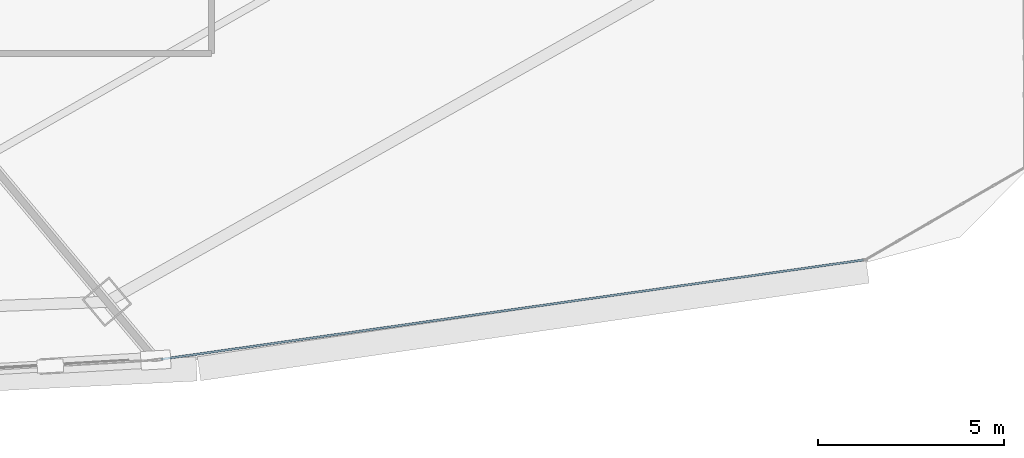
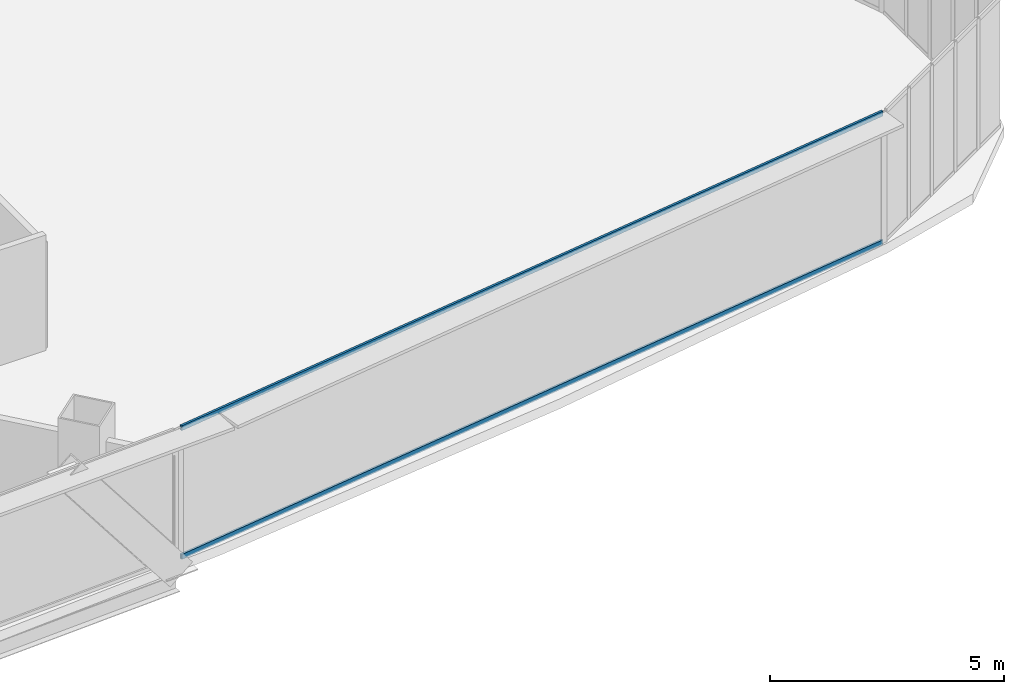
# One storey, part 21 of 42: 2 members, 1 element without a shape of its own.
"""IFC4 building model written with IfcOpenShell, lengths in metres."""

from ifc_helpers import new_model, si_unit, direction, frame, origin, origin_2d, place, context, subcontext, project, spatial, hollow_rectangle, extrude, source, transform, mapped, material, layer, layer_set, material_profile, profile_set, type_object, element, aggregate, save


model = new_model("IFC4")

# Units and contexts
model_context = context("Model", 3, precision=1e-05, world=origin(), true_north=direction((0.0, 1.0)))
body_context = subcontext(model_context, "Body", "Model", "MODEL_VIEW")
ifc_project = project(units=[si_unit("LENGTHUNIT", "METRE"), si_unit("AREAUNIT", "SQUARE_METRE"), si_unit("VOLUMEUNIT", "CUBIC_METRE"), si_unit("PLANEANGLEUNIT", "RADIAN"), si_unit("MASSUNIT", "GRAM", prefix="KILO"), si_unit("THERMODYNAMICTEMPERATUREUNIT", "KELVIN"), si_unit("POWERUNIT", "WATT")], contexts=[model_context])

# Site, building, storey
site_placement = place(None, origin())
site = spatial("IfcSite", under=ifc_project, at=site_placement, CompositionType="ELEMENT")
building_placement = place(site_placement, origin())
building = spatial("IfcBuilding", under=site, at=building_placement, Name="Yunzhuo Pagoda Commons", CompositionType="ELEMENT")
storey_placement = place(building_placement, frame((0.0, 0.0, 129.830078125)))
storey = spatial("IfcBuildingStorey", under=building, at=storey_placement, Name="L32", CompositionType="ELEMENT", Elevation=129.830078125)

# Curtain wall, members
ifc_material = material(Name="Anodized aluminium 6063-T6", Category="aluminium")
ifc_layer = layer(ifc_material, 0.14990234375)
ifc_layer_set = layer_set([ifc_layer], Name="Anodized aluminium 6063-T6")
curtain_wall_type = type_object("IfcCurtainWallType", Name="CW-MID Mid-Zone Ribbon Curtain Wall", PredefinedType="NOTDEFINED", material=ifc_layer_set)
curtain_wall_placement = place(storey_placement, origin())
curtain_wall = element("IfcCurtainWall", 1, at=curtain_wall_placement, inside=storey, type_object=curtain_wall_type, Name="L32 curtain wall CW-L32-F1B5", PredefinedType="NOTDEFINED")
ifc_material_profile = material_profile(ifc_material, hollow_rectangle(XDim=0.054931640625, YDim=0.1298828125, WallThickness=0.00341796875, at=origin_2d()), Name="Anodized aluminium 6063-T6")
ifc_profile_set = profile_set([ifc_material_profile], Name="Anodized aluminium 6063-T6")
member_type = type_object("IfcMemberType", Name="CW-MID-T Transom RHS 130x55x3.5", PredefinedType="USERDEFINED", material=ifc_profile_set)
shared_shape = source(origin(), body_context, "Body", "SweptSolid", [
    extrude(hollow_rectangle(XDim=0.054931640625, YDim=0.1298828125, WallThickness=0.00341796875, at=origin_2d()), origin(), (0.0, 0.0, 1.0), 19.068603515625),
])
member_1_placement = place(storey_placement, frame((65.031982421875, 13.580322265625, 0.02734375), z_axis=(0.990147224482, 0.140030260479, 0.0), x_axis=(-0.140030260479, 0.990147224482, 0.0)))
member_1 = element("IfcMember", 2, at=member_1_placement, type_object=member_type, Name="CW transom 1.1", ObjectType="TRANSOM", PredefinedType="USERDEFINED", context=body_context, shape_type="MappedRepresentation", body=[
    mapped(shared_shape, transform((0.0, 0.0, 0.0), scale=1.0)),
])
member_2_placement = place(storey_placement, frame((65.031982421875, 13.580322265625, 3.392333984375), z_axis=(0.990147224482, 0.140030260479, 0.0), x_axis=(-0.140030260479, 0.990147224482, 0.0)))
member_2 = element("IfcMember", 3, at=member_2_placement, type_object=member_type, Name="CW transom 1.2", ObjectType="TRANSOM", PredefinedType="USERDEFINED", context=body_context, shape_type="MappedRepresentation", body=[
    mapped(shared_shape, transform((0.0, 0.0, 0.0), scale=1.0)),
])
aggregate(curtain_wall, [member_1, member_2])

save(model, "model.ifc")
